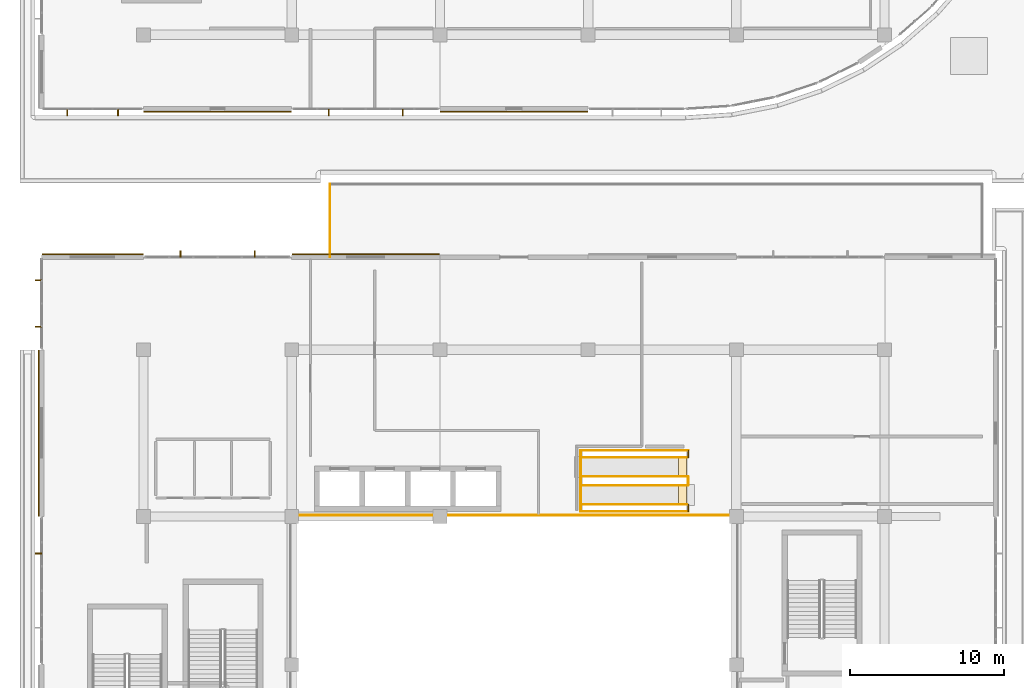
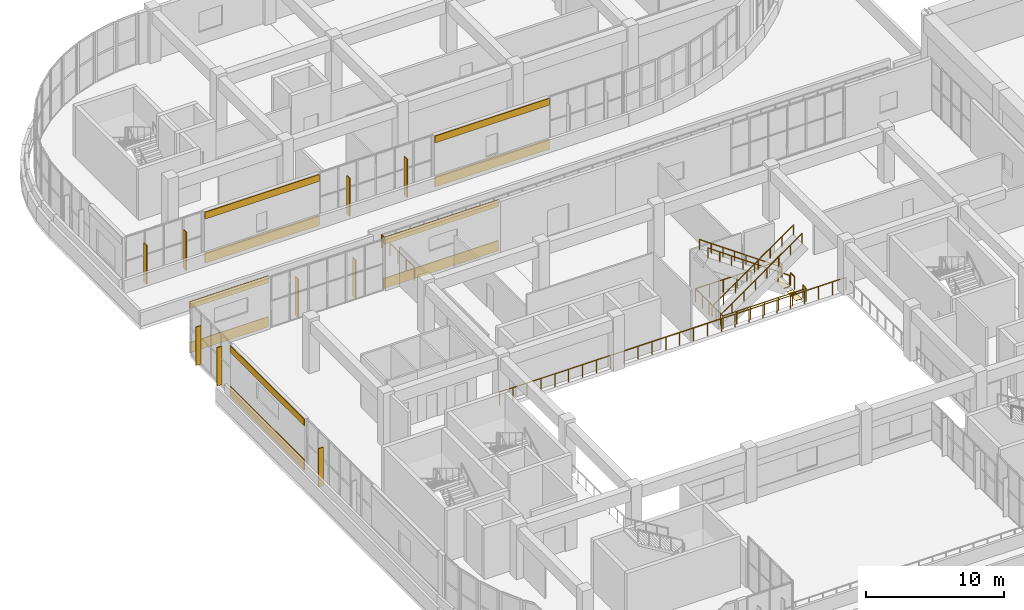
# One storey, part 79 of 96: 12 coverings, 12 railings, 9 shading devices.
"""IFC4 building model written with IfcOpenShell, lengths in metres."""

from ifc_helpers import new_model, si_unit, direction, frame, origin, origin_2d, place, context, subcontext, project, spatial, polyline, rectangle, circle, outline, extrude, material, layer, layer_set, type_object, element, save


model = new_model("IFC4")

# Units and contexts
model_context = context("Model", 3, precision=1e-05, world=origin(), true_north=direction((0.0, 1.0)))
body_context = subcontext(model_context, "Body", "Model", "MODEL_VIEW")
ifc_project = project(units=[si_unit("LENGTHUNIT", "METRE"), si_unit("AREAUNIT", "SQUARE_METRE"), si_unit("VOLUMEUNIT", "CUBIC_METRE"), si_unit("PLANEANGLEUNIT", "RADIAN"), si_unit("MASSUNIT", "GRAM", prefix="KILO")], contexts=[model_context])

# Site, building, storey
site_placement = place(None, origin())
site = spatial("IfcSite", under=ifc_project, at=site_placement, CompositionType="ELEMENT")
building_placement = place(site_placement, origin())
building = spatial("IfcBuilding", under=site, at=building_placement, Name="Cendralis Terraced Arcade", CompositionType="ELEMENT")
storey_placement = place(building_placement, frame((0.0, 0.0, 10.199951171875)))
storey = spatial("IfcBuildingStorey", under=building, at=storey_placement, Name="L02", CompositionType="ELEMENT", Elevation=10.199951171875)

# Coverings
ifc_material_1 = material(Name="Precast concrete f'c 40 MPa", Category="concrete")
ifc_layer_1 = layer(ifc_material_1, 0.06494140625, Name="COV-CLAD-GRC-65")
ifc_layer_set_1 = layer_set([ifc_layer_1], Name="Precast concrete f'c 40 MPa")
covering_type_1 = type_object("IfcCoveringType", Name="COV-CLAD-GRC-65", PredefinedType="CLADDING", material=ifc_layer_set_1)
covering_1_placement = place(storey_placement, frame((33.60009765625, 64.6201171875, 0.0), z_axis=(0.0, 0.0, 1.0), x_axis=(-1.0, 0.0, 0.0)))
element("IfcCovering", 1, at=covering_1_placement, inside=storey, type_object=covering_type_1, Name="Banded Precast Stone Spandrel Cladding L02-253", PredefinedType="CLADDING", context=body_context, shape_type="SweptSolid", body=[
    extrude(rectangle(XDim=9.5400390625, YDim=0.06494140625, at=origin_2d()), origin(), (0.0, 0.0, 1.0), 0.89990234375),
])
covering_2_placement = place(storey_placement, frame((33.60009765625, 64.6201171875, 3.89501953125), z_axis=(0.0, 0.0, 1.0), x_axis=(-1.0, 0.0, 0.0)))
element("IfcCovering", 2, at=covering_2_placement, inside=storey, type_object=covering_type_1, Name="Banded Precast Stone Lintel Cladding L02-254", PredefinedType="CLADDING", context=body_context, shape_type="SweptSolid", body=[
    extrude(rectangle(XDim=9.5400390625, YDim=0.06494140625, at=origin_2d()), origin(), (0.0, 0.0, 1.0), 0.60009765625),
])
covering_3_placement = place(storey_placement, frame((14.39990234375, 64.6201171875, 0.0), z_axis=(0.0, 0.0, 1.0), x_axis=(-1.0, 0.0, 0.0)))
element("IfcCovering", 3, at=covering_3_placement, inside=storey, type_object=covering_type_1, Name="Banded Precast Stone Spandrel Cladding L02-255", PredefinedType="CLADDING", context=body_context, shape_type="SweptSolid", body=[
    extrude(rectangle(XDim=9.5400390625, YDim=0.06494140625, at=origin_2d()), origin(), (0.0, 0.0, 1.0), 0.89990234375),
])
covering_4_placement = place(storey_placement, frame((14.39990234375, 64.6201171875, 3.89501953125), z_axis=(0.0, 0.0, 1.0), x_axis=(-1.0, 0.0, 0.0)))
element("IfcCovering", 4, at=covering_4_placement, inside=storey, type_object=covering_type_1, Name="Banded Precast Stone Lintel Cladding L02-256", PredefinedType="CLADDING", context=body_context, shape_type="SweptSolid", body=[
    extrude(rectangle(XDim=9.5400390625, YDim=0.06494140625, at=origin_2d()), origin(), (0.0, 0.0, 1.0), 0.60009765625),
])
covering_5_placement = place(storey_placement, frame((2.820068359375, 43.800048828125, 0.0), z_axis=(0.0, 0.0, 1.0), x_axis=(0.0, 1.0, 0.0)))
element("IfcCovering", 5, at=covering_5_placement, inside=storey, type_object=covering_type_1, Name="Banded Precast Stone Spandrel Cladding L02-317", PredefinedType="CLADDING", context=body_context, shape_type="SweptSolid", body=[
    extrude(rectangle(XDim=10.739990234375, YDim=0.06494140625, at=origin_2d()), origin(), (0.0, 0.0, 1.0), 0.89990234375),
])
covering_6_placement = place(storey_placement, frame((2.820068359375, 43.800048828125, 3.89501953125), z_axis=(0.0, 0.0, 1.0), x_axis=(0.0, 1.0, 0.0)))
element("IfcCovering", 6, at=covering_6_placement, inside=storey, type_object=covering_type_1, Name="Banded Precast Stone Lintel Cladding L02-318", PredefinedType="CLADDING", context=body_context, shape_type="SweptSolid", body=[
    extrude(rectangle(XDim=10.739990234375, YDim=0.06494140625, at=origin_2d()), origin(), (0.0, 0.0, 1.0), 0.60009765625),
])
covering_7_placement = place(storey_placement, frame((6.300048828125, 55.3798828125, 0.0), z_axis=(0.0, 0.0, 1.0), x_axis=(1.0, 0.0, 0.0)))
element("IfcCovering", 7, at=covering_7_placement, inside=storey, type_object=covering_type_1, Name="Banded Precast Stone Spandrel Cladding L02-319", PredefinedType="CLADDING", context=body_context, shape_type="SweptSolid", body=[
    extrude(rectangle(XDim=6.5400390625, YDim=0.06494140625, at=origin_2d()), origin(), (0.0, 0.0, 1.0), 0.89990234375),
])
covering_8_placement = place(storey_placement, frame((6.300048828125, 55.3798828125, 3.89501953125), z_axis=(0.0, 0.0, 1.0), x_axis=(1.0, 0.0, 0.0)))
element("IfcCovering", 8, at=covering_8_placement, inside=storey, type_object=covering_type_1, Name="Banded Precast Stone Lintel Cladding L02-320", PredefinedType="CLADDING", context=body_context, shape_type="SweptSolid", body=[
    extrude(rectangle(XDim=6.5400390625, YDim=0.06494140625, at=origin_2d()), origin(), (0.0, 0.0, 1.0), 0.60009765625),
])
covering_9_placement = place(storey_placement, frame((24.0, 55.3798828125, 0.0), z_axis=(0.0, 0.0, 1.0), x_axis=(1.0, 0.0, 0.0)))
element("IfcCovering", 9, at=covering_9_placement, inside=storey, type_object=covering_type_1, Name="Banded Precast Stone Spandrel Cladding L02-321", PredefinedType="CLADDING", context=body_context, shape_type="SweptSolid", body=[
    extrude(rectangle(XDim=9.5400390625, YDim=0.06494140625, at=origin_2d()), origin(), (0.0, 0.0, 1.0), 0.89990234375),
])
covering_10_placement = place(storey_placement, frame((24.0, 55.3798828125, 3.89501953125), z_axis=(0.0, 0.0, 1.0), x_axis=(1.0, 0.0, 0.0)))
element("IfcCovering", 10, at=covering_10_placement, inside=storey, type_object=covering_type_1, Name="Banded Precast Stone Lintel Cladding L02-322", PredefinedType="CLADDING", context=body_context, shape_type="SweptSolid", body=[
    extrude(rectangle(XDim=9.5400390625, YDim=0.06494140625, at=origin_2d()), origin(), (0.0, 0.0, 1.0), 0.60009765625),
])
ifc_material_2 = material(Name="Polished Bogota limestone terrazzo flooring", Category="masonry")
ifc_layer_2 = layer(ifc_material_2, 0.030029296875, Name="COV-FLR-TERZ-30")
ifc_layer_set_2 = layer_set([ifc_layer_2], Name="Polished Bogota limestone terrazzo flooring")
covering_type_2 = type_object("IfcCoveringType", Name="COV-FLR-TERZ-30", PredefinedType="FLOORING", material=ifc_layer_set_2)
covering_11_placement = place(storey_placement, frame((0.0, 0.0, -0.030029296875)))
element("IfcCovering", 11, at=covering_11_placement, inside=storey, type_object=covering_type_2, Name="Escalator Landing Comb-Plate Finish L02-03", PredefinedType="FLOORING", context=body_context, shape_type="SweptSolid", body=[
    extrude(outline(polyline([(44.25, 39.125), (44.77490234375, 39.125), (44.77490234375, 40.47509765625), (44.25, 40.47509765625), (44.25, 39.125)])), origin(), (0.0, 0.0, 1.0), 0.030029296875),
])
covering_12_placement = place(storey_placement, frame((0.0, 0.0, -0.030029296875)))
element("IfcCovering", 12, at=covering_12_placement, inside=storey, type_object=covering_type_2, Name="Escalator Landing Comb-Plate Finish L02-04", PredefinedType="FLOORING", context=body_context, shape_type="SweptSolid", body=[
    extrude(outline(polyline([(44.25, 40.925048828125), (44.77490234375, 40.925048828125), (44.77490234375, 42.27490234375), (44.25, 42.27490234375), (44.25, 40.925048828125)])), origin(), (0.0, 0.0, 1.0), 0.030029296875),
])

# Railings
ifc_material_3 = material(Name="Brushed stainless steel AISI 316", Category="steel")
railing_type_1 = type_object("IfcRailingType", Name="RL-ESC-HAND-950", PredefinedType="HANDRAIL", material=ifc_material_3)
for number, where, name in (
    (13, (38.0, 39.18505859375, 0.0), "Escalator Balustrade Handrail ESC-05-1"),
    (14, (38.0, 40.4150390625, 0.0), "Escalator Balustrade Handrail ESC-05-2"),
):
    element("IfcRailing", number, at=place(storey_placement, frame(where)), inside=storey, type_object=railing_type_1, Name=name, PredefinedType="HANDRAIL", context=body_context, shape_type="SweptSolid", body=[
        extrude(circle(Radius=0.02392578125, at=origin_2d()), frame((0.0, 0.0, 0.92578125), z_axis=(0.816967050385, 0.0, 0.576684349177), x_axis=(0.0, 1.0, 0.0)), (0.0, 0.0, 1.0), 8.323486328125),
        extrude(circle(Radius=0.02099609375, at=origin_2d()), origin(), (0.0, 0.0, 1.0), 0.90185546875),
        extrude(circle(Radius=0.02099609375, at=origin_2d()), frame((0.971435546875, 0.0, 0.685791015625)), (0.0, 0.0, 1.0), 0.90185546875),
        extrude(circle(Radius=0.02099609375, at=origin_2d()), frame((1.94287109375, 0.0, 1.371337890625)), (0.0, 0.0, 1.0), 0.90185546875),
        extrude(circle(Radius=0.02099609375, at=origin_2d()), frame((2.914306640625, 0.0, 2.05712890625)), (0.0, 0.0, 1.0), 0.90185546875),
        extrude(circle(Radius=0.02099609375, at=origin_2d()), frame((3.8857421875, 0.0, 2.742919921875)), (0.0, 0.0, 1.0), 0.90185546875),
        extrude(circle(Radius=0.02099609375, at=origin_2d()), frame((4.857177734375, 0.0, 3.4287109375)), (0.0, 0.0, 1.0), 0.90185546875),
        extrude(circle(Radius=0.02099609375, at=origin_2d()), frame((5.82861328125, 0.0, 4.1142578125)), (0.0, 0.0, 1.0), 0.90185546875),
        extrude(circle(Radius=0.02099609375, at=origin_2d()), frame((6.800048828125, 0.0, 4.800048828125)), (0.0, 0.0, 1.0), 0.90185546875),
    ])
for number, where, name in (
    (15, (44.800048828125, 40.985107421875, 0.0), "Escalator Balustrade Handrail ESC-06-1"),
    (16, (44.800048828125, 42.215087890625, 0.0), "Escalator Balustrade Handrail ESC-06-2"),
):
    element("IfcRailing", number, at=place(storey_placement, frame(where)), inside=storey, type_object=railing_type_1, Name=name, PredefinedType="HANDRAIL", context=body_context, shape_type="SweptSolid", body=[
        extrude(circle(Radius=0.02392578125, at=origin_2d()), frame((0.0, 0.0, 0.92578125), z_axis=(-0.816967050385, 0.0, 0.576684349177), x_axis=(0.0, -1.0, 0.0)), (0.0, 0.0, 1.0), 8.323486328125),
        extrude(circle(Radius=0.02099609375, at=origin_2d()), origin(), (0.0, 0.0, 1.0), 0.90185546875),
        extrude(circle(Radius=0.02099609375, at=origin_2d()), frame((-0.971435546875, 0.0, 0.685791015625)), (0.0, 0.0, 1.0), 0.90185546875),
        extrude(circle(Radius=0.02099609375, at=origin_2d()), frame((-1.94287109375, 0.0, 1.371337890625)), (0.0, 0.0, 1.0), 0.90185546875),
        extrude(circle(Radius=0.02099609375, at=origin_2d()), frame((-2.914306640625, 0.0, 2.05712890625)), (0.0, 0.0, 1.0), 0.90185546875),
        extrude(circle(Radius=0.02099609375, at=origin_2d()), frame((-3.8857421875, 0.0, 2.742919921875)), (0.0, 0.0, 1.0), 0.90185546875),
        extrude(circle(Radius=0.02099609375, at=origin_2d()), frame((-4.857177734375, 0.0, 3.4287109375)), (0.0, 0.0, 1.0), 0.90185546875),
        extrude(circle(Radius=0.02099609375, at=origin_2d()), frame((-5.82861328125, 0.0, 4.1142578125)), (0.0, 0.0, 1.0), 0.90185546875),
        extrude(circle(Radius=0.02099609375, at=origin_2d()), frame((-6.800048828125, 0.0, 4.800048828125)), (0.0, 0.0, 1.0), 0.90185546875),
    ])
railing_type_2 = type_object("IfcRailingType", Name="RL-TER-GUARD-1150", PredefinedType="GUARDRAIL", material=ifc_material_3)
railing_1_placement = place(storey_placement, frame((21.679931640625, 55.199951171875, 0.0)))
element("IfcRailing", 17, at=railing_1_placement, inside=storey, type_object=railing_type_2, Name="Planted Terrace Perimeter Guardrail GR-TER-L02-003", PredefinedType="GUARDRAIL", context=body_context, shape_type="SweptSolid", body=[
    extrude(circle(Radius=0.02392578125, at=origin_2d()), frame((0.0, 0.0, 1.1259765625), z_axis=(0.0, 1.0, 0.0), x_axis=(-1.0, 0.0, 0.0)), (0.0, 0.0, 1.0), 4.719970703125),
    extrude(circle(Radius=0.02099609375, at=origin_2d()), origin(), (0.0, 0.0, 1.0), 1.101806640625),
    extrude(circle(Radius=0.02099609375, at=origin_2d()), frame((0.0, 1.179931640625, 0.0)), (0.0, 0.0, 1.0), 1.101806640625),
    extrude(circle(Radius=0.02099609375, at=origin_2d()), frame((0.0, 2.35986328125, 0.0)), (0.0, 0.0, 1.0), 1.101806640625),
    extrude(circle(Radius=0.02099609375, at=origin_2d()), frame((0.0, 3.5400390625, 0.0)), (0.0, 0.0, 1.0), 1.101806640625),
    extrude(circle(Radius=0.02099609375, at=origin_2d()), frame((0.0, 4.719970703125, 0.0)), (0.0, 0.0, 1.0), 1.101806640625),
])
railing_type_3 = type_object("IfcRailingType", Name="RL-VOID-BAL-1150", PredefinedType="BALUSTRADE", material=ifc_material_3)
railing_2_placement = place(storey_placement, frame((44.8798828125, 38.719970703125, 0.0)))
element("IfcRailing", 18, at=railing_2_placement, inside=storey, type_object=railing_type_3, Name="Escalator Well Deck-Edge Balustrade L02-007", PredefinedType="BALUSTRADE", context=body_context, shape_type="SweptSolid", body=[
    extrude(circle(Radius=0.02392578125, at=origin_2d()), frame((0.0, 0.0, 1.1259765625), z_axis=(-1.0, 0.0, 0.0), x_axis=(0.0, -1.0, 0.0)), (0.0, 0.0, 1.0), 6.9599609375),
    extrude(circle(Radius=0.02099609375, at=origin_2d()), origin(), (0.0, 0.0, 1.0), 1.101806640625),
    extrude(circle(Radius=0.02099609375, at=origin_2d()), frame((-1.159912109375, 0.0, 0.0)), (0.0, 0.0, 1.0), 1.101806640625),
    extrude(circle(Radius=0.02099609375, at=origin_2d()), frame((-2.320068359375, 0.0, 0.0)), (0.0, 0.0, 1.0), 1.101806640625),
    extrude(circle(Radius=0.02099609375, at=origin_2d()), frame((-3.47998046875, 0.0, 0.0)), (0.0, 0.0, 1.0), 1.101806640625),
    extrude(circle(Radius=0.02099609375, at=origin_2d()), frame((-4.639892578125, 0.0, 0.0)), (0.0, 0.0, 1.0), 1.101806640625),
    extrude(circle(Radius=0.02099609375, at=origin_2d()), frame((-5.800048828125, 0.0, 0.0)), (0.0, 0.0, 1.0), 1.101806640625),
    extrude(circle(Radius=0.02099609375, at=origin_2d()), frame((-6.9599609375, 0.0, 0.0)), (0.0, 0.0, 1.0), 1.101806640625),
])
railing_3_placement = place(storey_placement, frame((37.919921875, 38.719970703125, 0.0)))
element("IfcRailing", 19, at=railing_3_placement, inside=storey, type_object=railing_type_3, Name="Escalator Well Deck-Edge Balustrade L02-008", PredefinedType="BALUSTRADE", context=body_context, shape_type="SweptSolid", body=[
    extrude(circle(Radius=0.02392578125, at=origin_2d()), frame((0.0, 0.0, 1.1259765625), z_axis=(0.0, 1.0, 0.0), x_axis=(-1.0, 0.0, 0.0)), (0.0, 0.0, 1.0), 3.9599609375),
    extrude(circle(Radius=0.02099609375, at=origin_2d()), origin(), (0.0, 0.0, 1.0), 1.101806640625),
    extrude(circle(Radius=0.02099609375, at=origin_2d()), frame((0.0, 0.989990234375, 0.0)), (0.0, 0.0, 1.0), 1.101806640625),
    extrude(circle(Radius=0.02099609375, at=origin_2d()), frame((0.0, 1.97998046875, 0.0)), (0.0, 0.0, 1.0), 1.101806640625),
    extrude(circle(Radius=0.02099609375, at=origin_2d()), frame((0.0, 2.969970703125, 0.0)), (0.0, 0.0, 1.0), 1.101806640625),
    extrude(circle(Radius=0.02099609375, at=origin_2d()), frame((0.0, 3.9599609375, 0.0)), (0.0, 0.0, 1.0), 1.101806640625),
])
railing_4_placement = place(storey_placement, frame((37.919921875, 42.679931640625, 0.0)))
element("IfcRailing", 20, at=railing_4_placement, inside=storey, type_object=railing_type_3, Name="Escalator Well Deck-Edge Balustrade L02-009", PredefinedType="BALUSTRADE", context=body_context, shape_type="SweptSolid", body=[
    extrude(circle(Radius=0.02392578125, at=origin_2d()), frame((0.0, 0.0, 1.1259765625), z_axis=(1.0, 0.0, 0.0), x_axis=(0.0, 1.0, 0.0)), (0.0, 0.0, 1.0), 6.9599609375),
    extrude(circle(Radius=0.02099609375, at=origin_2d()), origin(), (0.0, 0.0, 1.0), 1.101806640625),
    extrude(circle(Radius=0.02099609375, at=origin_2d()), frame((1.159912109375, 0.0, 0.0)), (0.0, 0.0, 1.0), 1.101806640625),
    extrude(circle(Radius=0.02099609375, at=origin_2d()), frame((2.320068359375, 0.0, 0.0)), (0.0, 0.0, 1.0), 1.101806640625),
    extrude(circle(Radius=0.02099609375, at=origin_2d()), frame((3.47998046875, 0.0, 0.0)), (0.0, 0.0, 1.0), 1.101806640625),
    extrude(circle(Radius=0.02099609375, at=origin_2d()), frame((4.639892578125, 0.0, 0.0)), (0.0, 0.0, 1.0), 1.101806640625),
    extrude(circle(Radius=0.02099609375, at=origin_2d()), frame((5.800048828125, 0.0, 0.0)), (0.0, 0.0, 1.0), 1.101806640625),
    extrude(circle(Radius=0.02099609375, at=origin_2d()), frame((6.9599609375, 0.0, 0.0)), (0.0, 0.0, 1.0), 1.101806640625),
])
railing_5_placement = place(storey_placement, frame((44.8798828125, 38.719970703125, 0.0)))
element("IfcRailing", 21, at=railing_5_placement, inside=storey, type_object=railing_type_3, Name="Escalator Well Deck-Edge Balustrade L02-010", PredefinedType="BALUSTRADE", context=body_context, shape_type="SweptSolid", body=[
    extrude(circle(Radius=0.02392578125, at=origin_2d()), frame((0.0, 0.0, 1.1259765625), z_axis=(0.0, 1.0, 0.0), x_axis=(-1.0, 0.0, 0.0)), (0.0, 0.0, 1.0), 0.465087890625),
    extrude(circle(Radius=0.02099609375, at=origin_2d()), origin(), (0.0, 0.0, 1.0), 1.101806640625),
    extrude(circle(Radius=0.02099609375, at=origin_2d()), frame((0.0, 0.465087890625, 0.0)), (0.0, 0.0, 1.0), 1.101806640625),
])
railing_6_placement = place(storey_placement, frame((44.8798828125, 40.4150390625, 0.0)))
element("IfcRailing", 22, at=railing_6_placement, inside=storey, type_object=railing_type_3, Name="Escalator Well Deck-Edge Balustrade L02-011", PredefinedType="BALUSTRADE", context=body_context, shape_type="SweptSolid", body=[
    extrude(circle(Radius=0.02392578125, at=origin_2d()), frame((0.0, 0.0, 1.1259765625), z_axis=(0.0, 1.0, 0.0), x_axis=(-1.0, 0.0, 0.0)), (0.0, 0.0, 1.0), 0.570068359375),
    extrude(circle(Radius=0.02099609375, at=origin_2d()), origin(), (0.0, 0.0, 1.0), 1.101806640625),
    extrude(circle(Radius=0.02099609375, at=origin_2d()), frame((0.0, 0.570068359375, 0.0)), (0.0, 0.0, 1.0), 1.101806640625),
])
railing_7_placement = place(storey_placement, frame((44.8798828125, 42.215087890625, 0.0)))
element("IfcRailing", 23, at=railing_7_placement, inside=storey, type_object=railing_type_3, Name="Escalator Well Deck-Edge Balustrade L02-012", PredefinedType="BALUSTRADE", context=body_context, shape_type="SweptSolid", body=[
    extrude(circle(Radius=0.02392578125, at=origin_2d()), frame((0.0, 0.0, 1.1259765625), z_axis=(0.0, 1.0, 0.0), x_axis=(-1.0, 0.0, 0.0)), (0.0, 0.0, 1.0), 0.46484375),
    extrude(circle(Radius=0.02099609375, at=origin_2d()), origin(), (0.0, 0.0, 1.0), 1.101806640625),
    extrude(circle(Radius=0.02099609375, at=origin_2d()), frame((0.0, 0.46484375, 0.0)), (0.0, 0.0, 1.0), 1.101806640625),
])
railing_8_placement = place(storey_placement, frame((48.080078125, 38.47998046875, 0.0)))
element("IfcRailing", 24, at=railing_8_placement, inside=storey, type_object=railing_type_3, Name="Atrium and Arcade Gallery Balustrade L02-049", PredefinedType="BALUSTRADE", context=body_context, shape_type="SweptSolid", body=[
    extrude(circle(Radius=0.02392578125, at=origin_2d()), frame((0.0, 0.0, 1.1259765625), z_axis=(-1.0, 0.0, 0.0), x_axis=(0.0, -1.0, 0.0)), (0.0, 0.0, 1.0), 28.9599609375),
    extrude(circle(Radius=0.02099609375, at=origin_2d()), origin(), (0.0, 0.0, 1.0), 1.101806640625),
    extrude(circle(Radius=0.02099609375, at=origin_2d()), frame((-1.158447265625, 0.0, 0.0)), (0.0, 0.0, 1.0), 1.101806640625),
    extrude(circle(Radius=0.02099609375, at=origin_2d()), frame((-2.31689453125, 0.0, 0.0)), (0.0, 0.0, 1.0), 1.101806640625),
    extrude(circle(Radius=0.02099609375, at=origin_2d()), frame((-3.47509765625, 0.0, 0.0)), (0.0, 0.0, 1.0), 1.101806640625),
    extrude(circle(Radius=0.02099609375, at=origin_2d()), frame((-4.633544921875, 0.0, 0.0)), (0.0, 0.0, 1.0), 1.101806640625),
    extrude(circle(Radius=0.02099609375, at=origin_2d()), frame((-5.7919921875, 0.0, 0.0)), (0.0, 0.0, 1.0), 1.101806640625),
    extrude(circle(Radius=0.02099609375, at=origin_2d()), frame((-6.950439453125, 0.0, 0.0)), (0.0, 0.0, 1.0), 1.101806640625),
    extrude(circle(Radius=0.02099609375, at=origin_2d()), frame((-8.10888671875, 0.0, 0.0)), (0.0, 0.0, 1.0), 1.101806640625),
    extrude(circle(Radius=0.02099609375, at=origin_2d()), frame((-9.26708984375, 0.0, 0.0)), (0.0, 0.0, 1.0), 1.101806640625),
    extrude(circle(Radius=0.02099609375, at=origin_2d()), frame((-10.425537109375, 0.0, 0.0)), (0.0, 0.0, 1.0), 1.101806640625),
    extrude(circle(Radius=0.02099609375, at=origin_2d()), frame((-11.583984375, 0.0, 0.0)), (0.0, 0.0, 1.0), 1.101806640625),
    extrude(circle(Radius=0.02099609375, at=origin_2d()), frame((-12.742431640625, 0.0, 0.0)), (0.0, 0.0, 1.0), 1.101806640625),
    extrude(circle(Radius=0.02099609375, at=origin_2d()), frame((-13.90087890625, 0.0, 0.0)), (0.0, 0.0, 1.0), 1.101806640625),
    extrude(circle(Radius=0.02099609375, at=origin_2d()), frame((-15.05908203125, 0.0, 0.0)), (0.0, 0.0, 1.0), 1.101806640625),
    extrude(circle(Radius=0.02099609375, at=origin_2d()), frame((-16.217529296875, 0.0, 0.0)), (0.0, 0.0, 1.0), 1.101806640625),
    extrude(circle(Radius=0.02099609375, at=origin_2d()), frame((-17.3759765625, 0.0, 0.0)), (0.0, 0.0, 1.0), 1.101806640625),
    extrude(circle(Radius=0.02099609375, at=origin_2d()), frame((-18.534423828125, 0.0, 0.0)), (0.0, 0.0, 1.0), 1.101806640625),
    extrude(circle(Radius=0.02099609375, at=origin_2d()), frame((-19.69287109375, 0.0, 0.0)), (0.0, 0.0, 1.0), 1.101806640625),
    extrude(circle(Radius=0.02099609375, at=origin_2d()), frame((-20.85107421875, 0.0, 0.0)), (0.0, 0.0, 1.0), 1.101806640625),
    extrude(circle(Radius=0.02099609375, at=origin_2d()), frame((-22.009521484375, 0.0, 0.0)), (0.0, 0.0, 1.0), 1.101806640625),
    extrude(circle(Radius=0.02099609375, at=origin_2d()), frame((-23.16796875, 0.0, 0.0)), (0.0, 0.0, 1.0), 1.101806640625),
    extrude(circle(Radius=0.02099609375, at=origin_2d()), frame((-24.326416015625, 0.0, 0.0)), (0.0, 0.0, 1.0), 1.101806640625),
    extrude(circle(Radius=0.02099609375, at=origin_2d()), frame((-25.48486328125, 0.0, 0.0)), (0.0, 0.0, 1.0), 1.101806640625),
    extrude(circle(Radius=0.02099609375, at=origin_2d()), frame((-26.64306640625, 0.0, 0.0)), (0.0, 0.0, 1.0), 1.101806640625),
    extrude(circle(Radius=0.02099609375, at=origin_2d()), frame((-27.801513671875, 0.0, 0.0)), (0.0, 0.0, 1.0), 1.101806640625),
    extrude(circle(Radius=0.02099609375, at=origin_2d()), frame((-28.9599609375, 0.0, 0.0)), (0.0, 0.0, 1.0), 1.101806640625),
])

# Shading devices
ifc_material_4 = material(Name="Anodised aluminium EN AW-6063 T6", Category="aluminium")
shading_device_type = type_object("IfcShadingDeviceType", Name="SHD-FIN-420", PredefinedType="USERDEFINED", material=ifc_material_4)
for number, where, z_axis, x_axis, name in (
    (25, (26.39990234375, 64.5849609375, 0.050048828125), (0.0, 0.0, 1.0), (-1.0, 0.0, 0.0), "Parametric Vertical Solar Fin FIN-L02-047"),
    (26, (21.60009765625, 64.5849609375, 0.050048828125), (0.0, 0.0, 1.0), (-1.0, 0.0, 0.0), "Parametric Vertical Solar Fin FIN-L02-048"),
    (27, (7.949951171875, 64.5849609375, 0.050048828125), (0.0, 0.0, 1.0), (-1.0, 0.0, 0.0), "Parametric Vertical Solar Fin FIN-L02-049"),
    (28, (4.64990234375, 64.5849609375, 0.050048828125), (0.0, 0.0, 1.0), (-1.0, 0.0, 0.0), "Parametric Vertical Solar Fin FIN-L02-050"),
    (29, (2.784912109375, 36.0, 0.050048828125), (0.0, 0.0, 1.0), (0.0, 1.0, 0.0), "Parametric Vertical Solar Fin FIN-L02-084"),
    (30, (2.784912109375, 50.699951171875, 0.050048828125), (0.0, 0.0, 1.0), (0.0, 1.0, 0.0), "Parametric Vertical Solar Fin FIN-L02-085"),
    (31, (2.784912109375, 53.699951171875, 0.050048828125), (0.0, 0.0, 1.0), (0.0, 1.0, 0.0), "Parametric Vertical Solar Fin FIN-L02-086"),
    (32, (12.0, 55.4150390625, 0.050048828125), (0.0, 0.0, 1.0), (1.0, 0.0, 0.0), "Parametric Vertical Solar Fin FIN-L02-087"),
    (33, (16.800048828125, 55.4150390625, 0.050048828125), (0.0, 0.0, 1.0), (1.0, 0.0, 0.0), "Parametric Vertical Solar Fin FIN-L02-088"),
):
    element("IfcShadingDevice", number, at=place(storey_placement, frame(where, z_axis=z_axis, x_axis=x_axis)), inside=storey, type_object=shading_device_type, Name=name, ObjectType="FIN", PredefinedType="USERDEFINED", context=body_context, shape_type="SweptSolid", body=[
        extrude(rectangle(XDim=0.074951171875, YDim=0.419921875, at=origin_2d()), origin(), (0.0, 0.0, 1.0), 3.39990234375),
    ])

save(model, "model.ifc")
